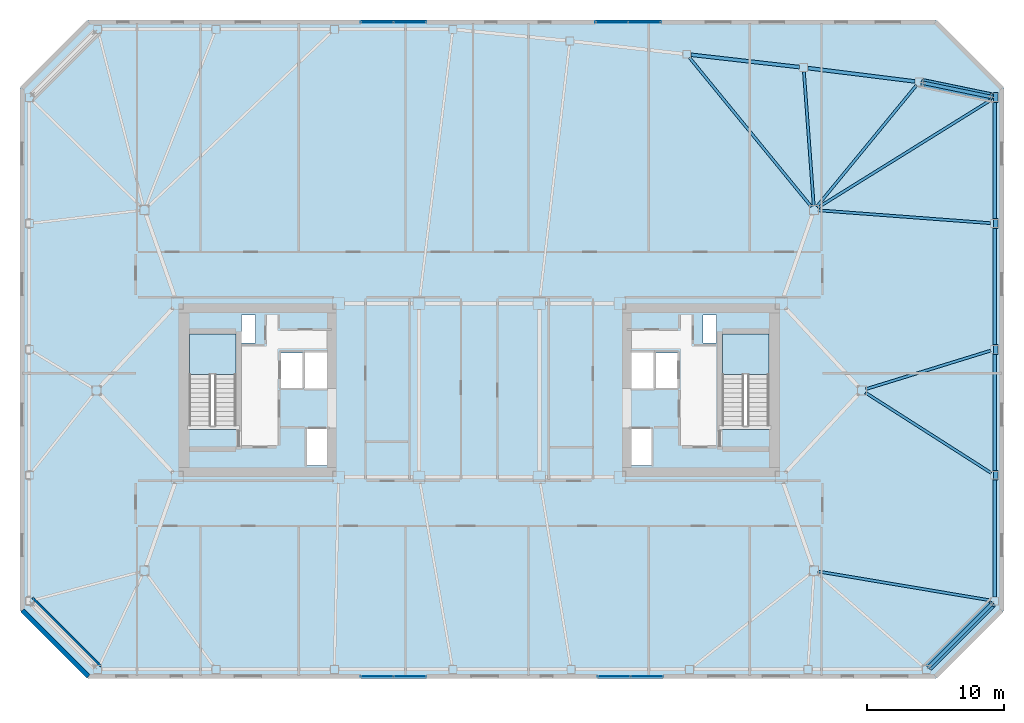
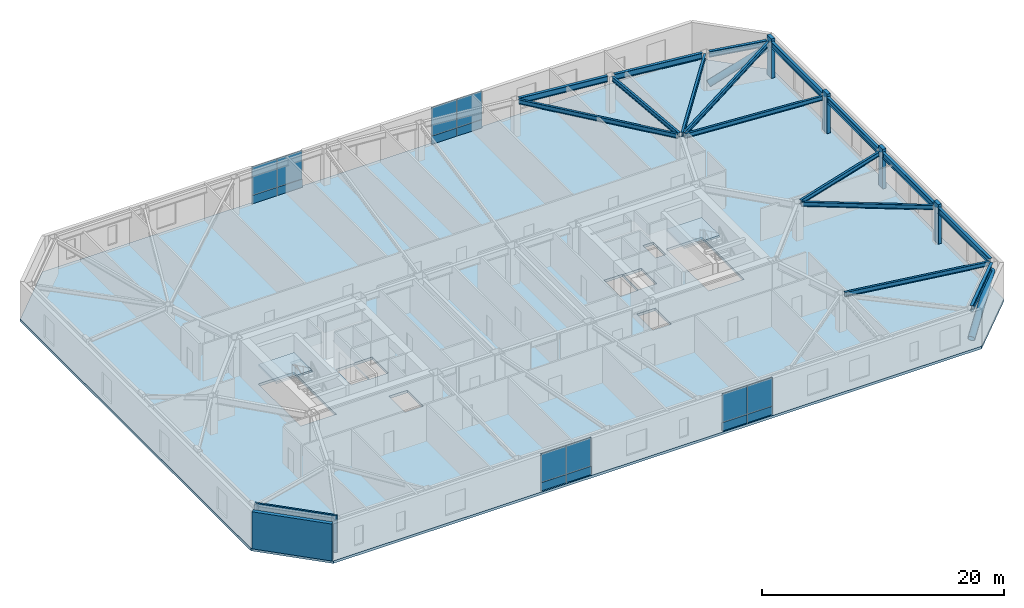
# One storey, part 9 of 18: 16 beams, 16 plates, 6 members, 3 slabs, 2 walls, 6 elements without a shape of their own.
"""IFC4 building model written with IfcOpenShell, lengths in metres."""

from ifc_helpers import new_model, si_unit, direction, frame, frame_2d, origin, origin_2d, place, context, subcontext, project, spatial, polyline, rectangle, hollow_circle, i_section, outline, extrude, material, layer, layer_set, material_profile, profile_set, type_object, element, aggregate, save


model = new_model("IFC4")

# Units and contexts
model_context = context("Model", 3, precision=1e-05, world=origin(), true_north=direction((0.0, 1.0)))
body_context = subcontext(model_context, "Body", "Model", "MODEL_VIEW")
ifc_project = project(units=[si_unit("LENGTHUNIT", "METRE"), si_unit("AREAUNIT", "SQUARE_METRE"), si_unit("VOLUMEUNIT", "CUBIC_METRE"), si_unit("PLANEANGLEUNIT", "RADIAN"), si_unit("MASSUNIT", "GRAM", prefix="KILO")], contexts=[model_context])

# Site, building, storey
site_placement = place(None, origin())
site = spatial("IfcSite", under=ifc_project, at=site_placement, CompositionType="ELEMENT")
building_placement = place(site_placement, origin())
building = spatial("IfcBuilding", under=site, at=building_placement, Name="Tavrogorsk Clinical Tower", CompositionType="ELEMENT")
storey_placement = place(building_placement, frame((0.0, 0.0, 196.199951171875)))
storey = spatial("IfcBuildingStorey", under=building, at=storey_placement, Name="L45", CompositionType="ELEMENT", Elevation=196.199951171875)

# Members
ifc_material_1 = material(Name="Structural steel S440", Category="steel")
ifc_material_profile_1 = material_profile(ifc_material_1, hollow_circle(Radius=0.304931640625, WallThickness=0.02490234375, at=origin_2d()), Name="CHS-610x25")
ifc_profile_set_1 = profile_set([ifc_material_profile_1], Name="Structural steel S440")
member_type_1 = type_object("IfcMemberType", Name="ExoBrace_CHS610", PredefinedType="BRACE", material=ifc_profile_set_1)
member_1_placement = place(storey_placement, frame((32.922607421875, -20.217529296875, 0.4130859375), z_axis=(0.657738695475, 0.657773644396, 0.3670335696), x_axis=(-0.707125566484, 0.70708799539, 0.0)))
element("IfcMember", 1, at=member_1_placement, inside=storey, type_object=member_type_1, Name="L45 Corner Exoskeleton Brace S8-E1", PredefinedType="BRACE", context=body_context, shape_type="SweptSolid", body=[
    extrude(hollow_circle(Radius=0.304931640625, WallThickness=0.02490234375, at=origin_2d()), origin(), (0.0, 0.0, 1.0), 6.985595703125),
])
member_2_placement = place(storey_placement, frame((32.461669921875, 22.509765625, 0.4365234375), z_axis=(0.877871206027, -0.181924853718, 0.442996042002), x_axis=(0.202922555913, 0.979194789764, 0.0)))
element("IfcMember", 2, at=member_2_placement, inside=storey, type_object=member_type_1, Name="L45 Corner Exoskeleton Brace E5-N1", PredefinedType="BRACE", context=body_context, shape_type="SweptSolid", body=[
    extrude(hollow_circle(Radius=0.304931640625, WallThickness=0.02490234375, at=origin_2d()), origin(), (0.0, 0.0, 1.0), 5.681884765625),
])

# Beams
ifc_material_2 = material(Name="Structural steel S355", Category="steel")
ifc_material_profile_2 = material_profile(ifc_material_2, i_section(OverallWidth=0.199951171875, OverallDepth=0.449951171875, WebThickness=0.011474609375, FlangeThickness=0.01806640625, at=origin_2d()), Name="B-450x200x11.5x18")
ifc_profile_set_2 = profile_set([ifc_material_profile_2], Name="Structural steel S355")
beam_type_1 = type_object("IfcBeamType", Name="FloorBeam_B450", PredefinedType="BEAM", material=ifc_profile_set_2)
beam_1_placement = place(storey_placement, frame((24.69677734375, 13.439453125, 3.51513671875), z_axis=(0.634628511763, 0.772817347151, 0.0), x_axis=(-0.772817347151, 0.634628511763, 0.0)))
element("IfcBeam", 3, at=beam_1_placement, inside=storey, type_object=beam_type_1, Name="L45 Radial Floor Beam N1", PredefinedType="BEAM", context=body_context, shape_type="SweptSolid", body=[
    extrude(i_section(OverallWidth=0.199951171875, OverallDepth=0.449951171875, WebThickness=0.011474609375, FlangeThickness=0.01806640625, at=origin_2d()), origin(), (0.0, 0.0, 1.0), 11.501220703125),
])
beam_2_placement = place(storey_placement, frame((24.477294921875, 13.50927734375, 3.51513671875), z_axis=(-0.072962981763, 0.9973346496, 0.0), x_axis=(-0.9973346496, -0.072962981763, 0.0)))
element("IfcBeam", 4, at=beam_2_placement, inside=storey, type_object=beam_type_1, Name="L45 Radial Floor Beam N2", PredefinedType="BEAM", context=body_context, shape_type="SweptSolid", body=[
    extrude(i_section(OverallWidth=0.199951171875, OverallDepth=0.449951171875, WebThickness=0.011474609375, FlangeThickness=0.01806640625, at=origin_2d()), origin(), (0.0, 0.0, 1.0), 9.827392578125),
])
beam_3_placement = place(storey_placement, frame((24.3037109375, 13.43994140625, 3.51513671875), z_axis=(-0.632955765669, 0.774187960838, 0.0), x_axis=(-0.774187960838, -0.632955765669, 0.0)))
element("IfcBeam", 5, at=beam_3_placement, inside=storey, type_object=beam_type_1, Name="L45 Radial Floor Beam N3", PredefinedType="BEAM", context=body_context, shape_type="SweptSolid", body=[
    extrude(i_section(OverallWidth=0.199951171875, OverallDepth=0.449951171875, WebThickness=0.011474609375, FlangeThickness=0.01806640625, at=origin_2d()), origin(), (0.0, 0.0, 1.0), 14.09716796875),
])
beam_4_placement = place(storey_placement, frame((24.8056640625, -13.251220703125, 3.51513671875), z_axis=(0.986191418361, -0.165609439197, 0.0), x_axis=(0.165609439197, 0.986191418361, 0.0)))
element("IfcBeam", 6, at=beam_4_placement, inside=storey, type_object=beam_type_1, Name="L45 Radial Floor Beam E1", PredefinedType="BEAM", context=body_context, shape_type="SweptSolid", body=[
    extrude(i_section(OverallWidth=0.199951171875, OverallDepth=0.449951171875, WebThickness=0.011474609375, FlangeThickness=0.01806640625, at=origin_2d()), origin(), (0.0, 0.0, 1.0), 12.787109375),
])
beam_5_placement = place(storey_placement, frame((28.26123046875, -0.1669921875, 3.51513671875), z_axis=(0.842699642064, -0.538383983106, 0.0), x_axis=(0.538383983106, 0.842699642064, 0.0)))
element("IfcBeam", 7, at=beam_5_placement, inside=storey, type_object=beam_type_1, Name="L45 Radial Floor Beam E2", PredefinedType="BEAM", context=body_context, shape_type="SweptSolid", body=[
    extrude(i_section(OverallWidth=0.199951171875, OverallDepth=0.449951171875, WebThickness=0.011474609375, FlangeThickness=0.01806640625, at=origin_2d()), origin(), (0.0, 0.0, 1.0), 10.916259765625),
])
beam_6_placement = place(storey_placement, frame((28.296142578125, 0.09130859375, 3.51513671875), z_axis=(0.955521187686, 0.294922464187, 0.0), x_axis=(-0.294922464187, 0.955521187686, 0.0)))
element("IfcBeam", 8, at=beam_6_placement, inside=storey, type_object=beam_type_1, Name="L45 Radial Floor Beam E3", PredefinedType="BEAM", context=body_context, shape_type="SweptSolid", body=[
    extrude(i_section(OverallWidth=0.199951171875, OverallDepth=0.449951171875, WebThickness=0.011474609375, FlangeThickness=0.01806640625, at=origin_2d()), origin(), (0.0, 0.0, 1.0), 9.5546875),
])
beam_7_placement = place(storey_placement, frame((24.80908203125, 13.1767578125, 3.51513671875), z_axis=(0.997207767172, -0.074677098845, 0.0), x_axis=(0.074677098845, 0.997207767172, 0.0)))
element("IfcBeam", 9, at=beam_7_placement, inside=storey, type_object=beam_type_1, Name="L45 Radial Floor Beam E4", PredefinedType="BEAM", context=body_context, shape_type="SweptSolid", body=[
    extrude(i_section(OverallWidth=0.199951171875, OverallDepth=0.449951171875, WebThickness=0.011474609375, FlangeThickness=0.01806640625, at=origin_2d()), origin(), (0.0, 0.0, 1.0), 12.63916015625),
])
beam_8_placement = place(storey_placement, frame((24.76318359375, 13.36376953125, 3.51513671875), z_axis=(0.849229115923, 0.528024534154, 0.0), x_axis=(-0.528024534154, 0.849229115923, 0.0)))
element("IfcBeam", 10, at=beam_8_placement, inside=storey, type_object=beam_type_1, Name="L45 Radial Floor Beam E5", PredefinedType="BEAM", context=body_context, shape_type="SweptSolid", body=[
    extrude(i_section(OverallWidth=0.199951171875, OverallDepth=0.449951171875, WebThickness=0.011474609375, FlangeThickness=0.01806640625, at=origin_2d()), origin(), (0.0, 0.0, 1.0), 14.94921875),
])

# Members
ifc_material_3 = material(Name="Precast concrete B45 with limestone cladding", Category="masonry")
ifc_material_profile_3 = material_profile(ifc_material_3, rectangle(XDim=0.320068359375, YDim=0.719970703125, at=origin_2d()), Name="LIMESTONE-FIN-320x720")
ifc_profile_set_3 = profile_set([ifc_material_profile_3], Name="Precast concrete B45 with limestone cladding")
member_type_2 = type_object("IfcMemberType", Name="LimestonePleatFin_320x720", PredefinedType="USERDEFINED", material=ifc_profile_set_3)
for number, where, z_axis, x_axis, name in (
    (11, (37.800048828125, -6.2099609375, 0.0), (0.0, 0.0, 1.0), (1.0, 0.0, 0.0), "L45 E Pleated Stone Fin 1"),
    (12, (37.800048828125, 3.0, 0.0), (0.0, 0.0, 1.0), (1.0, 0.0, 0.0), "L45 E Pleated Stone Fin 2"),
    (13, (37.800048828125, 12.2099609375, 0.0), (0.0, 0.0, 1.0), (1.0, 0.0, 0.0), "L45 E Pleated Stone Fin 3"),
    (14, (37.800048828125, 21.419921875, 0.0), (0.0, 0.0, 1.0), (1.0, 0.0, 0.0), "L45 E Pleated Stone Fin 4"),
):
    element("IfcMember", number, at=place(storey_placement, frame(where, z_axis=z_axis, x_axis=x_axis)), inside=storey, type_object=member_type_2, Name=name, ObjectType="FIN", PredefinedType="USERDEFINED", context=body_context, shape_type="SweptSolid", body=[
        extrude(rectangle(XDim=0.320068359375, YDim=0.719970703125, at=origin_2d()), origin(), (0.0, 0.0, 1.0), 4.0),
    ])

# Beams
ifc_material_4 = material(Name="Structural steel S390", Category="steel")
ifc_material_profile_4 = material_profile(ifc_material_4, i_section(OverallWidth=0.260009765625, OverallDepth=0.60009765625, WebThickness=0.014892578125, FlangeThickness=0.02392578125, at=origin_2d()), Name="B-600x260x15x24")
ifc_profile_set_4 = profile_set([ifc_material_profile_4], Name="Structural steel S390")
beam_type_2 = type_object("IfcBeamType", Name="SpandrelBeam_B600", PredefinedType="SPANDREL", material=ifc_profile_set_4)
beam_9_placement = place(storey_placement, frame((32.937744140625, -20.2021484375, 3.43994140625), z_axis=(0.707106781187, 0.707106781187, 0.0), x_axis=(-0.707106781187, 0.707106781187, 0.0)))
element("IfcBeam", 15, at=beam_9_placement, inside=storey, type_object=beam_type_2, Name="L45 Perimeter Spandrel S8-E1", PredefinedType="SPANDREL", context=body_context, shape_type="SweptSolid", body=[
    extrude(i_section(OverallWidth=0.260009765625, OverallDepth=0.60009765625, WebThickness=0.014892578125, FlangeThickness=0.02392578125, at=origin_2d()), origin(), (0.0, 0.0, 1.0), 6.455078125),
])
for number, where, z_axis, x_axis, name in (
    (16, (37.719970703125, -15.112060546875, 3.43994140625), (0.0, 1.0, 0.0), (-1.0, 0.0, 0.0), "L45 Perimeter Spandrel E1-E2"),
    (17, (37.719970703125, -5.902099609375, 3.43994140625), (0.0, 1.0, 0.0), (-1.0, 0.0, 0.0), "L45 Perimeter Spandrel E2-E3"),
    (18, (37.719970703125, 3.30810546875, 3.43994140625), (0.0, 1.0, 0.0), (-1.0, 0.0, 0.0), "L45 Perimeter Spandrel E3-E4"),
    (19, (37.719970703125, 12.51806640625, 3.43994140625), (0.0, 1.0, 0.0), (-1.0, 0.0, 0.0), "L45 Perimeter Spandrel E4-E5"),
):
    element("IfcBeam", number, at=place(storey_placement, frame(where, z_axis=z_axis, x_axis=x_axis)), inside=storey, type_object=beam_type_2, Name=name, PredefinedType="SPANDREL", context=body_context, shape_type="SweptSolid", body=[
        extrude(i_section(OverallWidth=0.260009765625, OverallDepth=0.60009765625, WebThickness=0.014892578125, FlangeThickness=0.02392578125, at=origin_2d()), origin(), (0.0, 0.0, 1.0), 8.593994140625),
    ])
beam_10_placement = place(storey_placement, frame((37.41845703125, 21.482421875, 3.43994140625), z_axis=(-0.979184643877, 0.202971508337, 0.0), x_axis=(-0.202971508337, -0.979184643877, 0.0)))
element("IfcBeam", 20, at=beam_10_placement, inside=storey, type_object=beam_type_2, Name="L45 Perimeter Spandrel E5-N1", PredefinedType="SPANDREL", context=body_context, shape_type="SweptSolid", body=[
    extrude(i_section(OverallWidth=0.260009765625, OverallDepth=0.60009765625, WebThickness=0.014892578125, FlangeThickness=0.02392578125, at=origin_2d()), origin(), (0.0, 0.0, 1.0), 5.0302734375),
])
beam_11_placement = place(storey_placement, frame((31.8857421875, 22.60400390625, 3.43994140625), z_axis=(-0.992347112015, 0.123479590521, 0.0), x_axis=(-0.123479590521, -0.992347112015, 0.0)))
element("IfcBeam", 21, at=beam_11_placement, inside=storey, type_object=beam_type_2, Name="L45 Perimeter Spandrel N1-N2", PredefinedType="SPANDREL", context=body_context, shape_type="SweptSolid", body=[
    extrude(i_section(OverallWidth=0.260009765625, OverallDepth=0.60009765625, WebThickness=0.014892578125, FlangeThickness=0.02392578125, at=origin_2d()), origin(), (0.0, 0.0, 1.0), 7.90283203125),
])
beam_12_placement = place(storey_placement, frame((23.431884765625, 23.652587890625, 3.43994140625), z_axis=(-0.993569841398, 0.113220891465, 0.0), x_axis=(-0.113220891465, -0.993569841398, 0.0)))
element("IfcBeam", 22, at=beam_12_placement, inside=storey, type_object=beam_type_2, Name="L45 Perimeter Spandrel N2-N3", PredefinedType="SPANDREL", context=body_context, shape_type="SweptSolid", body=[
    extrude(i_section(OverallWidth=0.260009765625, OverallDepth=0.60009765625, WebThickness=0.014892578125, FlangeThickness=0.02392578125, at=origin_2d()), origin(), (0.0, 0.0, 1.0), 7.9912109375),
])

# Curtain wall, plates
ifc_material_5 = material(Name="Anodised aluminium and triple IGU glazing", Category="aluminium")
ifc_layer_1 = layer(ifc_material_5, 0.179931640625)
ifc_layer_set_1 = layer_set([ifc_layer_1], Name="Anodised aluminium and triple IGU glazing")
curtain_wall_type_1 = type_object("IfcCurtainWallType", Name="CW3_SouthSlot", PredefinedType="NOTDEFINED", material=ifc_layer_set_1)
curtain_wall_1_placement = place(storey_placement, origin())
curtain_wall_1 = element("IfcCurtainWall", 23, at=curtain_wall_1_placement, inside=storey, type_object=curtain_wall_type_1, Name="L45 Curtain Wall CW-L45-S-SLOT-1", PredefinedType="NOTDEFINED")
ifc_material_6 = material(Name="Honed Podolsk limestone spandrel panel", Category="masonry")
ifc_layer_2 = layer(ifc_material_6, 0.080078125)
ifc_layer_set_2 = layer_set([ifc_layer_2], Name="Honed Podolsk limestone spandrel panel")
plate_type_1 = type_object("IfcPlateType", Name="CwSpandrelStonePanel_80", PredefinedType="CURTAIN_PANEL", material=ifc_layer_set_2)
plate_1_placement = place(storey_placement, frame((-7.470947265625, -20.929931640625, 0.002197265625), z_axis=(0.0, 0.0, 1.0), x_axis=(1.0, 0.0, 0.0)))
plate_1 = element("IfcPlate", 24, at=plate_1_placement, type_object=plate_type_1, Name="CW-L45-S-SLOT-1 Stone Spandrel Panel 1", PredefinedType="CURTAIN_PANEL", context=body_context, shape_type="SweptSolid", body=[
    extrude(rectangle(XDim=2.39208984375, YDim=0.080078125, at=origin_2d()), origin(), (0.0, 0.0, 1.0), 0.8359375),
])
plate_2_placement = place(storey_placement, frame((-5.054931640625, -20.929931640625, 0.002197265625), z_axis=(0.0, 0.0, 1.0), x_axis=(1.0, 0.0, 0.0)))
plate_2 = element("IfcPlate", 25, at=plate_2_placement, type_object=plate_type_1, Name="CW-L45-S-SLOT-1 Stone Spandrel Panel 2", PredefinedType="CURTAIN_PANEL", context=body_context, shape_type="SweptSolid", body=[
    extrude(rectangle(XDim=2.39208984375, YDim=0.080078125, at=origin_2d()), origin(), (0.0, 0.0, 1.0), 0.8359375),
])

curtain_wall_2_placement = place(storey_placement, origin())
curtain_wall_2 = element("IfcCurtainWall", 26, at=curtain_wall_2_placement, inside=storey, type_object=curtain_wall_type_1, Name="L45 Curtain Wall CW-L45-S-SLOT-2", PredefinedType="NOTDEFINED")
plate_3_placement = place(storey_placement, frame((9.854736328125, -20.929931640625, 0.002197265625), z_axis=(0.0, 0.0, 1.0), x_axis=(1.0, 0.0, 0.0)))
plate_3 = element("IfcPlate", 27, at=plate_3_placement, type_object=plate_type_1, Name="CW-L45-S-SLOT-2 Stone Spandrel Panel 1", PredefinedType="CURTAIN_PANEL", context=body_context, shape_type="SweptSolid", body=[
    extrude(rectangle(XDim=2.39208984375, YDim=0.080078125, at=origin_2d()), origin(), (0.0, 0.0, 1.0), 0.8359375),
])
plate_4_placement = place(storey_placement, frame((12.270751953125, -20.929931640625, 0.002197265625), z_axis=(0.0, 0.0, 1.0), x_axis=(1.0, 0.0, 0.0)))
plate_4 = element("IfcPlate", 28, at=plate_4_placement, type_object=plate_type_1, Name="CW-L45-S-SLOT-2 Stone Spandrel Panel 2", PredefinedType="CURTAIN_PANEL", context=body_context, shape_type="SweptSolid", body=[
    extrude(rectangle(XDim=2.39208984375, YDim=0.080078125, at=origin_2d()), origin(), (0.0, 0.0, 1.0), 0.8359375),
])

ifc_material_7 = material(Name="Anodised aluminium and triple IGU glazing", Category="aluminium")
ifc_layer_3 = layer(ifc_material_7, 0.179931640625)
ifc_layer_set_3 = layer_set([ifc_layer_3], Name="Anodised aluminium and triple IGU glazing")
curtain_wall_type_2 = type_object("IfcCurtainWallType", Name="CW2_NorthSlot", PredefinedType="NOTDEFINED", material=ifc_layer_set_3)
curtain_wall_3_placement = place(storey_placement, origin())
curtain_wall_3 = element("IfcCurtainWall", 29, at=curtain_wall_3_placement, inside=storey, type_object=curtain_wall_type_2, Name="L45 Curtain Wall CW-L45-N-SLOT-1", PredefinedType="NOTDEFINED")
plate_5_placement = place(storey_placement, frame((-5.054931640625, 26.929931640625, 0.002197265625), z_axis=(0.0, 0.0, 1.0), x_axis=(-1.0, 0.0, 0.0)))
plate_5 = element("IfcPlate", 30, at=plate_5_placement, type_object=plate_type_1, Name="CW-L45-N-SLOT-1 Stone Spandrel Panel 1", PredefinedType="CURTAIN_PANEL", context=body_context, shape_type="SweptSolid", body=[
    extrude(rectangle(XDim=2.39208984375, YDim=0.080078125, at=origin_2d()), origin(), (0.0, 0.0, 1.0), 0.8359375),
])
plate_6_placement = place(storey_placement, frame((-7.470947265625, 26.929931640625, 0.002197265625), z_axis=(0.0, 0.0, 1.0), x_axis=(-1.0, 0.0, 0.0)))
plate_6 = element("IfcPlate", 31, at=plate_6_placement, type_object=plate_type_1, Name="CW-L45-N-SLOT-1 Stone Spandrel Panel 2", PredefinedType="CURTAIN_PANEL", context=body_context, shape_type="SweptSolid", body=[
    extrude(rectangle(XDim=2.39208984375, YDim=0.080078125, at=origin_2d()), origin(), (0.0, 0.0, 1.0), 0.8359375),
])

curtain_wall_4_placement = place(storey_placement, origin())
curtain_wall_4 = element("IfcCurtainWall", 32, at=curtain_wall_4_placement, inside=storey, type_object=curtain_wall_type_2, Name="L45 Curtain Wall CW-L45-N-SLOT-2", PredefinedType="NOTDEFINED")
plate_7_placement = place(storey_placement, frame((12.1181640625, 26.929931640625, 0.002197265625), z_axis=(0.0, 0.0, 1.0), x_axis=(-1.0, 0.0, 0.0)))
plate_7 = element("IfcPlate", 33, at=plate_7_placement, type_object=plate_type_1, Name="CW-L45-N-SLOT-2 Stone Spandrel Panel 1", PredefinedType="CURTAIN_PANEL", context=body_context, shape_type="SweptSolid", body=[
    extrude(rectangle(XDim=2.39208984375, YDim=0.080078125, at=origin_2d()), origin(), (0.0, 0.0, 1.0), 0.8359375),
])
plate_8_placement = place(storey_placement, frame((9.7021484375, 26.929931640625, 0.002197265625), z_axis=(0.0, 0.0, 1.0), x_axis=(-1.0, 0.0, 0.0)))
plate_8 = element("IfcPlate", 34, at=plate_8_placement, type_object=plate_type_1, Name="CW-L45-N-SLOT-2 Stone Spandrel Panel 2", PredefinedType="CURTAIN_PANEL", context=body_context, shape_type="SweptSolid", body=[
    extrude(rectangle(XDim=2.39208984375, YDim=0.080078125, at=origin_2d()), origin(), (0.0, 0.0, 1.0), 0.8359375),
])

# Plate
ifc_material_8 = material(Name="Triple low-E argon insulated glass", Category="glass")
ifc_layer_4 = layer(ifc_material_8, 0.048095703125)
ifc_layer_set_4 = layer_set([ifc_layer_4], Name="Triple low-E argon insulated glass")
plate_type_2 = type_object("IfcPlateType", Name="CwVisionGlassPanel_48", PredefinedType="CURTAIN_PANEL", material=ifc_layer_set_4)
plate_9_placement = place(storey_placement, frame((-7.470947265625, -20.929931640625, 0.862060546875), z_axis=(0.0, 0.0, 1.0), x_axis=(1.0, 0.0, 0.0)))
plate_9 = element("IfcPlate", 35, at=plate_9_placement, type_object=plate_type_2, Name="CW-L45-S-SLOT-1 Glazing Panel 1", PredefinedType="CURTAIN_PANEL", context=body_context, shape_type="SweptSolid", body=[
    extrude(rectangle(XDim=2.39208984375, YDim=0.048095703125, at=origin_2d()), origin(), (0.0, 0.0, 1.0), 2.8759765625),
])

plate_10_placement = place(storey_placement, frame((-5.054931640625, -20.929931640625, 0.862060546875), z_axis=(0.0, 0.0, 1.0), x_axis=(1.0, 0.0, 0.0)))
plate_10 = element("IfcPlate", 36, at=plate_10_placement, type_object=plate_type_2, Name="CW-L45-S-SLOT-1 Glazing Panel 2", PredefinedType="CURTAIN_PANEL", context=body_context, shape_type="SweptSolid", body=[
    extrude(rectangle(XDim=2.39208984375, YDim=0.048095703125, at=origin_2d()), origin(), (0.0, 0.0, 1.0), 2.8759765625),
])

aggregate(curtain_wall_1, [plate_1, plate_9, plate_2, plate_10])

plate_11_placement = place(storey_placement, frame((9.854736328125, -20.929931640625, 0.862060546875), z_axis=(0.0, 0.0, 1.0), x_axis=(1.0, 0.0, 0.0)))
plate_11 = element("IfcPlate", 37, at=plate_11_placement, type_object=plate_type_2, Name="CW-L45-S-SLOT-2 Glazing Panel 1", PredefinedType="CURTAIN_PANEL", context=body_context, shape_type="SweptSolid", body=[
    extrude(rectangle(XDim=2.39208984375, YDim=0.048095703125, at=origin_2d()), origin(), (0.0, 0.0, 1.0), 2.8759765625),
])

plate_12_placement = place(storey_placement, frame((12.270751953125, -20.929931640625, 0.862060546875), z_axis=(0.0, 0.0, 1.0), x_axis=(1.0, 0.0, 0.0)))
plate_12 = element("IfcPlate", 38, at=plate_12_placement, type_object=plate_type_2, Name="CW-L45-S-SLOT-2 Glazing Panel 2", PredefinedType="CURTAIN_PANEL", context=body_context, shape_type="SweptSolid", body=[
    extrude(rectangle(XDim=2.39208984375, YDim=0.048095703125, at=origin_2d()), origin(), (0.0, 0.0, 1.0), 2.8759765625),
])

aggregate(curtain_wall_2, [plate_3, plate_11, plate_4, plate_12])

plate_13_placement = place(storey_placement, frame((-5.054931640625, 26.929931640625, 0.862060546875), z_axis=(0.0, 0.0, 1.0), x_axis=(-1.0, 0.0, 0.0)))
plate_13 = element("IfcPlate", 39, at=plate_13_placement, type_object=plate_type_2, Name="CW-L45-N-SLOT-1 Glazing Panel 1", PredefinedType="CURTAIN_PANEL", context=body_context, shape_type="SweptSolid", body=[
    extrude(rectangle(XDim=2.39208984375, YDim=0.048095703125, at=origin_2d()), origin(), (0.0, 0.0, 1.0), 2.8759765625),
])

plate_14_placement = place(storey_placement, frame((-7.470947265625, 26.929931640625, 0.862060546875), z_axis=(0.0, 0.0, 1.0), x_axis=(-1.0, 0.0, 0.0)))
plate_14 = element("IfcPlate", 40, at=plate_14_placement, type_object=plate_type_2, Name="CW-L45-N-SLOT-1 Glazing Panel 2", PredefinedType="CURTAIN_PANEL", context=body_context, shape_type="SweptSolid", body=[
    extrude(rectangle(XDim=2.39208984375, YDim=0.048095703125, at=origin_2d()), origin(), (0.0, 0.0, 1.0), 2.8759765625),
])

aggregate(curtain_wall_3, [plate_5, plate_13, plate_6, plate_14])

plate_15_placement = place(storey_placement, frame((12.1181640625, 26.929931640625, 0.862060546875), z_axis=(0.0, 0.0, 1.0), x_axis=(-1.0, 0.0, 0.0)))
plate_15 = element("IfcPlate", 41, at=plate_15_placement, type_object=plate_type_2, Name="CW-L45-N-SLOT-2 Glazing Panel 1", PredefinedType="CURTAIN_PANEL", context=body_context, shape_type="SweptSolid", body=[
    extrude(rectangle(XDim=2.39208984375, YDim=0.048095703125, at=origin_2d()), origin(), (0.0, 0.0, 1.0), 2.8759765625),
])

plate_16_placement = place(storey_placement, frame((9.7021484375, 26.929931640625, 0.862060546875), z_axis=(0.0, 0.0, 1.0), x_axis=(-1.0, 0.0, 0.0)))
plate_16 = element("IfcPlate", 42, at=plate_16_placement, type_object=plate_type_2, Name="CW-L45-N-SLOT-2 Glazing Panel 2", PredefinedType="CURTAIN_PANEL", context=body_context, shape_type="SweptSolid", body=[
    extrude(rectangle(XDim=2.39208984375, YDim=0.048095703125, at=origin_2d()), origin(), (0.0, 0.0, 1.0), 2.8759765625),
])

aggregate(curtain_wall_4, [plate_7, plate_15, plate_8, plate_16])

# Stair, slab
ifc_material_9 = material(Name="Concrete B60", Category="concrete")
stair_type = type_object("IfcStairType", Name="CoreStairAssembly", PredefinedType="HALF_TURN_STAIR", material=ifc_material_9)
stair_1_placement = place(storey_placement, origin())
stair_1 = element("IfcStair", 43, at=stair_1_placement, inside=storey, type_object=stair_type, Name="L45 ST-W", PredefinedType="HALF_TURN_STAIR")
ifc_material_10 = material(Name="Concrete B60", Category="concrete")
ifc_layer_5 = layer(ifc_material_10, 0.199951171875)
ifc_layer_set_5 = layer_set([ifc_layer_5], Name="Concrete B60")
slab_type_1 = type_object("IfcSlabType", Name="StairLanding_200", PredefinedType="LANDING", material=ifc_layer_set_5)
slab_1_placement = place(storey_placement, frame((0.0, 0.0, 1.800048828125)))
slab_1 = element("IfcSlab", 44, at=slab_1_placement, type_object=slab_type_1, Name="ST-W landing 1", PredefinedType="LANDING", context=body_context, shape_type="SweptSolid", body=[
    extrude(outline(polyline([(-17.800048828125, 1.1650390625), (-17.800048828125, 4.125), (-21.199951171875, 4.125), (-21.199951171875, 1.1650390625), (-17.800048828125, 1.1650390625)])), origin(), (0.0, 0.0, 1.0), 0.199951171875),
])
aggregate(stair_1, [slab_1])

stair_2_placement = place(storey_placement, origin())
stair_2 = element("IfcStair", 45, at=stair_2_placement, inside=storey, type_object=stair_type, Name="L45 ST-E", PredefinedType="HALF_TURN_STAIR")
slab_2_placement = place(storey_placement, frame((0.0, 0.0, 1.800048828125)))
slab_2 = element("IfcSlab", 46, at=slab_2_placement, type_object=slab_type_1, Name="ST-E landing 1", PredefinedType="LANDING", context=body_context, shape_type="SweptSolid", body=[
    extrude(outline(polyline([(21.199951171875, 1.1650390625), (21.199951171875, 4.125), (17.800048828125, 4.125), (17.800048828125, 1.1650390625), (21.199951171875, 1.1650390625)])), origin(), (0.0, 0.0, 1.0), 0.199951171875),
])
aggregate(stair_2, [slab_2])

# Slab
ifc_material_11 = material(Name="Concrete B60", Category="concrete")
ifc_layer_6 = layer(ifc_material_11, 0.260009765625)
ifc_layer_set_6 = layer_set([ifc_layer_6], Name="Concrete B60")
slab_type_2 = type_object("IfcSlabType", Name="WardSlab_260", PredefinedType="FLOOR", material=ifc_layer_set_6)
slab_3_placement = place(storey_placement, frame((0.0, 0.0, -0.260009765625)))
element("IfcSlab", 47, at=slab_3_placement, inside=storey, type_object=slab_type_2, Name="L45 Structural Slab", PredefinedType="FLOOR", context=body_context, shape_type="SweptSolid", body=[
    extrude(outline(polyline([(-28.60009765625, -21.10009765625), (33.39990234375, -21.10009765625), (38.39990234375, -16.10009765625), (38.39990234375, 22.10009765625), (33.39990234375, 27.10009765625), (-28.60009765625, 27.10009765625), (-33.60009765625, 22.10009765625), (-33.60009765625, -16.10009765625), (-28.60009765625, -21.10009765625)]), holes=[polyline([(-17.800048828125, -2.8798828125), (-17.800048828125, 4.125), (-21.199951171875, 4.125), (-21.199951171875, -2.8798828125), (-17.800048828125, -2.8798828125)]), polyline([(21.199951171875, -2.8798828125), (21.199951171875, 4.125), (17.800048828125, 4.125), (17.800048828125, -2.8798828125), (21.199951171875, -2.8798828125)]), polyline([(-14.6201171875, 0.169921875), (-12.860107421875, 0.169921875), (-12.860107421875, 2.72998046875), (-14.6201171875, 2.72998046875), (-14.6201171875, 0.169921875)]), polyline([(-12.72998046875, -5.47998046875), (-10.969970703125, -5.47998046875), (-10.969970703125, -2.820068359375), (-12.72998046875, -2.820068359375), (-12.72998046875, -5.47998046875)]), polyline([(-12.840087890625, 0.1201171875), (-11.080078125, 0.1201171875), (-11.080078125, 2.780029296875), (-12.840087890625, 2.780029296875), (-12.840087890625, 0.1201171875)]), polyline([(12.860107421875, 0.169921875), (14.6201171875, 0.169921875), (14.6201171875, 2.72998046875), (12.860107421875, 2.72998046875), (12.860107421875, 0.169921875)]), polyline([(10.969970703125, -5.47998046875), (12.72998046875, -5.47998046875), (12.72998046875, -2.820068359375), (10.969970703125, -2.820068359375), (10.969970703125, -5.47998046875)]), polyline([(11.080078125, 0.1201171875), (12.840087890625, 0.1201171875), (12.840087890625, 2.780029296875), (11.080078125, 2.780029296875), (11.080078125, 0.1201171875)]), polyline([(-17.3798828125, 3.449951171875), (-16.3798828125, 3.449951171875), (-16.3798828125, 5.5), (-17.3798828125, 5.5), (-17.3798828125, 3.449951171875)]), polyline([(16.3798828125, 3.449951171875), (17.3798828125, 3.449951171875), (17.3798828125, 5.5), (16.3798828125, 5.5), (16.3798828125, 3.449951171875)])]), origin(), (0.0, 0.0, 1.0), 0.260009765625),
])

# Walls
ifc_material_12 = material(Name="Lightweight concrete blockwork B15", Category="masonry")
ifc_layer_7 = layer(ifc_material_12, 0.159912109375)
ifc_layer_set_7 = layer_set([ifc_layer_7], Name="Lightweight concrete blockwork B15")
wall_type_1 = type_object("IfcWallType", Name="PartitionWall_160", PredefinedType="PARTITIONING", material=ifc_layer_set_7)
wall_1_placement = place(storey_placement, frame((-32.6796875, -15.1796875, 0.0), z_axis=(0.0, 0.0, 1.0), x_axis=(0.707106781187, -0.707106781187, 0.0)))
element("IfcWall", 48, at=wall_1_placement, inside=storey, type_object=wall_type_1, Name="L45 Corner Exoskeleton Brace Furring Wall 4", PredefinedType="PARTITIONING", context=body_context, shape_type="SweptSolid", body=[
    extrude(rectangle(XDim=7.071044921875, YDim=0.159912109375, at=frame_2d((3.53564453125, 0.0))), origin(), (0.0, 0.0, 1.0), 3.739990234375),
])
ifc_material_13 = material(Name="Precast concrete B45 with limestone cladding", Category="masonry")
ifc_layer_8 = layer(ifc_material_13, 0.340087890625)
ifc_layer_set_8 = layer_set([ifc_layer_8], Name="Precast concrete B45 with limestone cladding")
wall_type_2 = type_object("IfcWallType", Name="PrecastLimestoneWall_340", PredefinedType="STANDARD", material=ifc_layer_set_8)
wall_2_placement = place(storey_placement, frame((-33.429931640625, -16.10009765625, 0.0), z_axis=(0.0, 0.0, 1.0), x_axis=(0.707106781187, -0.707106781187, 0.0)))
element("IfcWall", 49, at=wall_2_placement, inside=storey, type_object=wall_type_2, Name="L45 Chamfered Corner Wall 4", PredefinedType="STANDARD", context=body_context, shape_type="SweptSolid", body=[
    extrude(rectangle(XDim=6.830322265625, YDim=0.340087890625, at=frame_2d((3.4150390625, 0.0))), origin(), (0.0, 0.0, 1.0), 3.739990234375),
])

save(model, "model.ifc")
